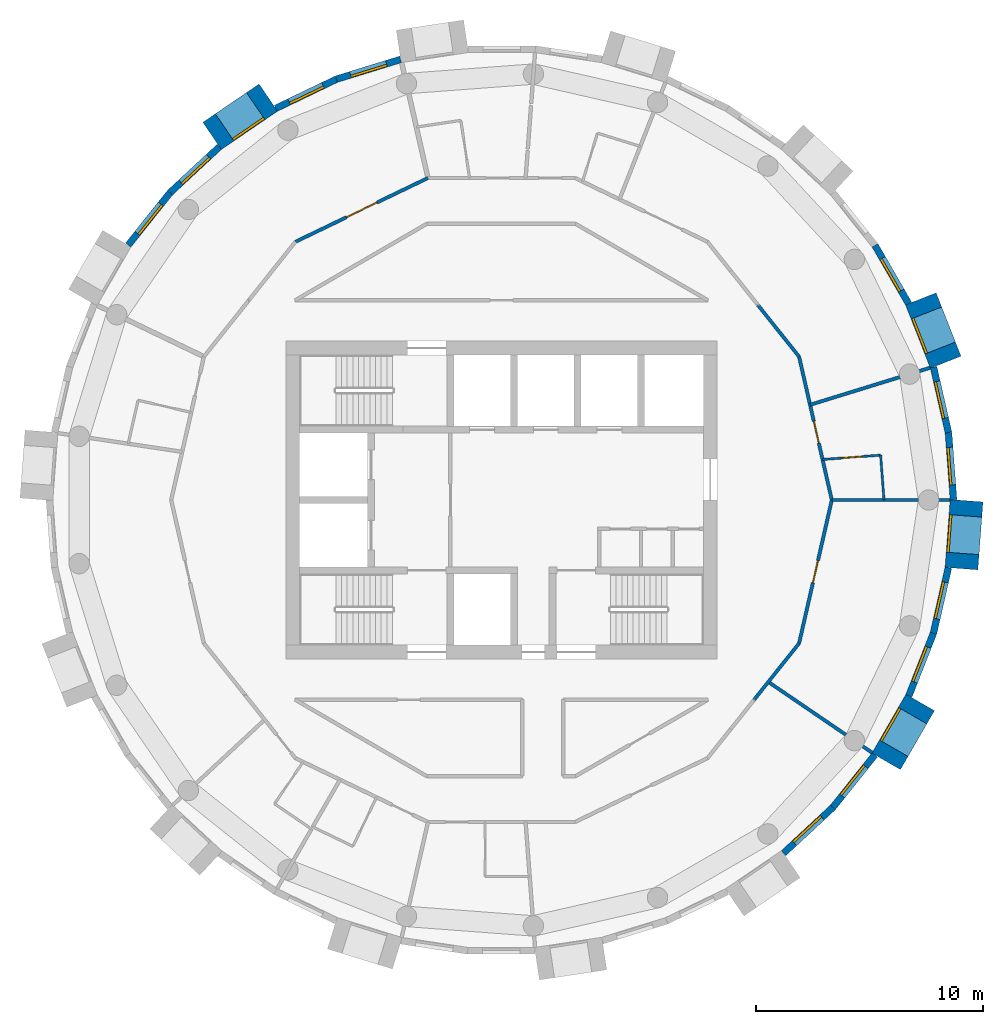
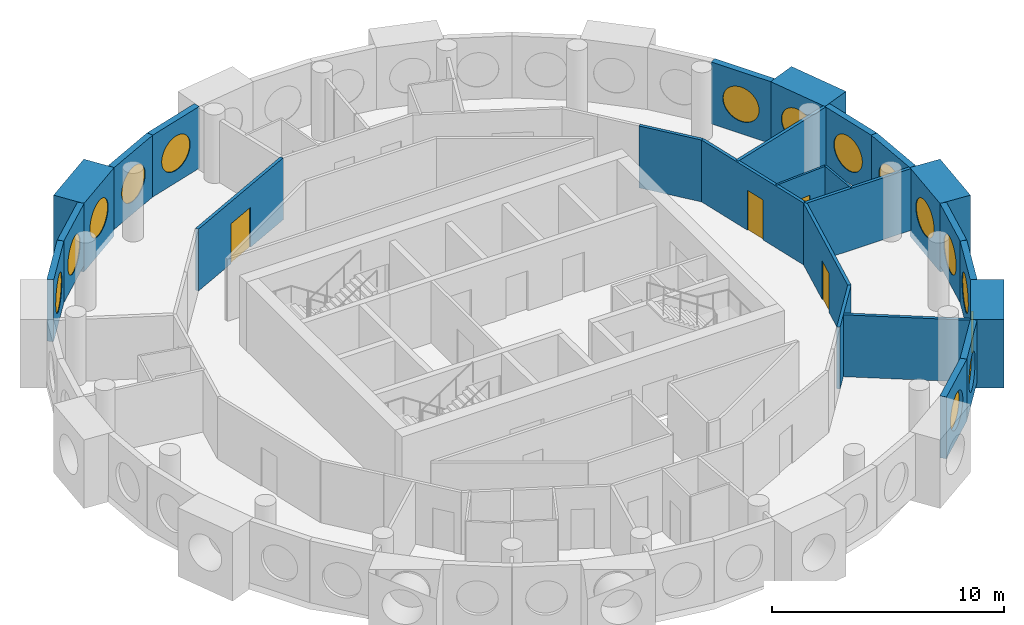
# One storey, part 10 of 13: 25 walls, 15 windows, 4 doors, 19 openings.
"""IFC4 building model written with IfcOpenShell, lengths in metres."""

from ifc_helpers import new_model, si_unit, direction, frame, frame_2d, origin, origin_2d, place, context, subcontext, project, spatial, rectangle, circle, extrude, material, layer, layer_set, type_object, element, fill, save


model = new_model("IFC4")

# Units and contexts
model_context = context("Model", 3, precision=1e-05, world=origin(), true_north=direction((0.0, 1.0)))
body_context = subcontext(model_context, "Body", "Model", "MODEL_VIEW")
ifc_project = project(units=[si_unit("LENGTHUNIT", "METRE"), si_unit("AREAUNIT", "SQUARE_METRE"), si_unit("VOLUMEUNIT", "CUBIC_METRE"), si_unit("PLANEANGLEUNIT", "RADIAN"), si_unit("MASSUNIT", "GRAM", prefix="KILO")], contexts=[model_context])

# Site, building, storey
site_placement = place(None, origin())
site = spatial("IfcSite", under=ifc_project, at=site_placement, CompositionType="ELEMENT")
building_placement = place(site_placement, origin())
building = spatial("IfcBuilding", under=site, at=building_placement, Name="Tracery Tower", CompositionType="ELEMENT")
storey_placement = place(building_placement, frame((0.0, 0.0, 301.800048828125)))
storey = spatial("IfcBuildingStorey", under=building, at=storey_placement, Name="L78", CompositionType="ELEMENT", Elevation=301.800048828125)

# Wall, opening, window
ifc_material_1 = material(Name="Precast concrete C50/60", Category="concrete")
ifc_layer_1 = layer(ifc_material_1, 1.449951171875)
ifc_layer_set_1 = layer_set([ifc_layer_1], Name="Deep-set bay unit 3000 x 3600, slab edge 350")
wall_type_1 = type_object("IfcWallType", Name="Deep-set bay unit 3000 x 3600, slab edge 350", PredefinedType="ELEMENTEDWALL", material=ifc_layer_set_1)
wall_1_placement = place(storey_placement, frame((19.576171875, 6.071533203125, -0.35009765625), z_axis=(0.0, 0.0, 1.0), x_axis=(-0.36537792632, 0.93085926485, 0.0)))
wall_1 = element("IfcWall", 1, at=wall_1_placement, inside=storey, type_object=wall_type_1, Name="Deep-set bay unit 3 at L78", PredefinedType="ELEMENTEDWALL", context=body_context, shape_type="SweptSolid", body=[
    extrude(rectangle(XDim=3.000244140625, YDim=1.449951171875, at=frame_2d((1.5, 0.0))), origin(), (0.0, 0.0, 1.0), 3.60009765625),
])
opening_1_placement = place(wall_1_placement, frame((1.5, 0.0, 1.89990234375)))
opening_1 = element("IfcOpeningElement", 2, at=opening_1_placement, cuts=wall_1, Name="Opening WN1", PredefinedType="OPENING", context=body_context, shape_type="SweptSolid", body=[
    extrude(circle(Radius=0.9000244140625, at=origin_2d()), frame((0.0, 0.73486328125, 0.0), z_axis=(0.0, -1.0, 0.0), x_axis=(1.0, 0.0, 0.0)), (0.0, 0.0, 1.0), 1.469970703125),
])
ifc_material_2 = material(Name="Aluminium frame with tinted double glazing", Category="aluminium")
window_type = type_object("IfcWindowType", Name="Round window 1800", PartitioningType="SINGLE_PANEL", PredefinedType="WINDOW", material=ifc_material_2)
window_1_placement = place(opening_1_placement, origin())
window_1 = element("IfcWindow", 3, at=window_1_placement, inside=storey, type_object=window_type, Name="Round window 3 at L78", OverallHeight=1.800048828125, OverallWidth=1.800048828125, PartitioningType="SINGLE_PANEL", PredefinedType="WINDOW", context=body_context, shape_type="SweptSolid", body=[
    extrude(circle(Radius=0.9000244140625, at=origin_2d()), frame((0.0, 0.69482421875, 0.0), z_axis=(0.0, -1.0, 0.0), x_axis=(1.0, 0.0, 0.0)), (0.0, 0.0, 1.0), 0.10009765625),
])
fill(opening_1, window_1)

wall_2_placement = place(storey_placement, frame((-10.275390625, 17.734130859375, -0.35009765625), z_axis=(0.0, 0.0, 1.0), x_axis=(-0.826246281157, -0.563309047392, 0.0)))
wall_2 = element("IfcWall", 4, at=wall_2_placement, inside=storey, type_object=wall_type_1, Name="Deep-set bay unit 15 at L78", PredefinedType="ELEMENTEDWALL", context=body_context, shape_type="SweptSolid", body=[
    extrude(rectangle(XDim=3.0, YDim=1.449951171875, at=frame_2d((1.5, 0.0))), origin(), (0.0, 0.0, 1.0), 3.60009765625),
])
opening_2_placement = place(wall_2_placement, frame((1.5, 0.0, 1.89990234375)))
opening_2 = element("IfcOpeningElement", 5, at=opening_2_placement, cuts=wall_2, Name="Opening WN1", PredefinedType="OPENING", context=body_context, shape_type="SweptSolid", body=[
    extrude(circle(Radius=0.9000244140625, at=origin_2d()), frame((0.0, 0.73486328125, 0.0), z_axis=(0.0, -1.0, 0.0), x_axis=(1.0, 0.0, 0.0)), (0.0, 0.0, 1.0), 1.469970703125),
])
window_2_placement = place(opening_2_placement, origin())
window_2 = element("IfcWindow", 6, at=window_2_placement, inside=storey, type_object=window_type, Name="Round window 15 at L78", OverallHeight=1.800048828125, OverallWidth=1.800048828125, PartitioningType="SINGLE_PANEL", PredefinedType="WINDOW", context=body_context, shape_type="SweptSolid", body=[
    extrude(circle(Radius=0.9000244140625, at=origin_2d()), frame((0.0, 0.69482421875, 0.0), z_axis=(0.0, -1.0, 0.0), x_axis=(1.0, 0.0, 0.0)), (0.0, 0.0, 1.0), 0.10009765625),
])
fill(opening_2, window_2)

wall_3_placement = place(storey_placement, frame((16.952392578125, -11.51953125, -0.35009765625), z_axis=(0.0, 0.0, 1.0), x_axis=(0.499990139034, 0.866031096941, 0.0)))
wall_3 = element("IfcWall", 7, at=wall_3_placement, inside=storey, type_object=wall_type_1, Name="Deep-set bay unit 39 at L78", PredefinedType="ELEMENTEDWALL", context=body_context, shape_type="SweptSolid", body=[
    extrude(rectangle(XDim=3.0, YDim=1.449951171875, at=frame_2d((1.5, 0.0))), origin(), (0.0, 0.0, 1.0), 3.60009765625),
])
opening_3_placement = place(wall_3_placement, frame((1.5, 0.0, 1.89990234375)))
opening_3 = element("IfcOpeningElement", 8, at=opening_3_placement, cuts=wall_3, Name="Opening WN1", PredefinedType="OPENING", context=body_context, shape_type="SweptSolid", body=[
    extrude(circle(Radius=0.9000244140625, at=origin_2d()), frame((0.0, 0.73486328125, 0.0), z_axis=(0.0, -1.0, 0.0), x_axis=(1.0, 0.0, 0.0)), (0.0, 0.0, 1.0), 1.469970703125),
])
window_3_placement = place(opening_3_placement, origin())
window_3 = element("IfcWindow", 9, at=window_3_placement, inside=storey, type_object=window_type, Name="Round window 39 at L78", OverallHeight=1.800048828125, OverallWidth=1.800048828125, PartitioningType="SINGLE_PANEL", PredefinedType="WINDOW", context=body_context, shape_type="SweptSolid", body=[
    extrude(circle(Radius=0.9000244140625, at=origin_2d()), frame((0.0, 0.69482421875, 0.0), z_axis=(0.0, -1.0, 0.0), x_axis=(1.0, 0.0, 0.0)), (0.0, 0.0, 1.0), 0.10009765625),
])
fill(opening_3, window_3)

wall_4_placement = place(storey_placement, frame((20.271728515625, -3.0234375, -0.35009765625), z_axis=(0.0, 0.0, 1.0), x_axis=(0.074785902127, 0.997199613339, 0.0)))
wall_4 = element("IfcWall", 10, at=wall_4_placement, inside=storey, type_object=wall_type_1, Name="Deep-set bay unit 42 at L78", PredefinedType="ELEMENTEDWALL", context=body_context, shape_type="SweptSolid", body=[
    extrude(rectangle(XDim=3.0, YDim=1.449951171875, at=frame_2d((1.5, 0.0))), origin(), (0.0, 0.0, 1.0), 3.60009765625),
])
opening_4_placement = place(wall_4_placement, frame((1.5, 0.0, 1.89990234375)))
opening_4 = element("IfcOpeningElement", 11, at=opening_4_placement, cuts=wall_4, Name="Opening WN1", PredefinedType="OPENING", context=body_context, shape_type="SweptSolid", body=[
    extrude(circle(Radius=0.9000244140625, at=origin_2d()), frame((0.0, 0.73486328125, 0.0), z_axis=(0.0, -1.0, 0.0), x_axis=(1.0, 0.0, 0.0)), (0.0, 0.0, 1.0), 1.469970703125),
])
window_4_placement = place(opening_4_placement, origin())
window_4 = element("IfcWindow", 12, at=window_4_placement, inside=storey, type_object=window_type, Name="Round window 42 at L78", OverallHeight=1.800048828125, OverallWidth=1.800048828125, PartitioningType="SINGLE_PANEL", PredefinedType="WINDOW", context=body_context, shape_type="SweptSolid", body=[
    extrude(circle(Radius=0.9000244140625, at=origin_2d()), frame((0.0, 0.69482421875, 0.0), z_axis=(0.0, -1.0, 0.0), x_axis=(1.0, 0.0, 0.0)), (0.0, 0.0, 1.0), 0.10009765625),
])
fill(opening_4, window_4)

ifc_material_3 = material(Name="Precast concrete C50/60", Category="concrete")
ifc_layer_2 = layer(ifc_material_3, 0.300048828125)
ifc_layer_set_2 = layer_set([ifc_layer_2], Name="Facade panel 3000 x 3250")
wall_type_2 = type_object("IfcWallType", Name="Facade panel 3000 x 3250", PredefinedType="SOLIDWALL", material=ifc_layer_set_2)
wall_5_placement = place(storey_placement, frame((19.920654296875, 0.01513671875, 0.0), z_axis=(0.0, 0.0, 1.0), x_axis=(-0.07474897196, 0.997202382263, 0.0)))
wall_5 = element("IfcWall", 13, at=wall_5_placement, inside=storey, type_object=wall_type_2, Name="Facade panel 1 at L78", PredefinedType="SOLIDWALL", context=body_context, shape_type="SweptSolid", body=[
    extrude(rectangle(XDim=2.96240234375, YDim=0.300048828125, at=frame_2d((1.481201171875, 0.0))), origin(), (0.0, 0.0, 1.0), 3.25),
])
opening_5_placement = place(wall_5_placement, frame((1.48095703125, 0.0, 1.5498046875)))
opening_5 = element("IfcOpeningElement", 14, at=opening_5_placement, cuts=wall_5, Name="Opening WN1", PredefinedType="OPENING", context=body_context, shape_type="SweptSolid", body=[
    extrude(circle(Radius=0.9000244140625, at=origin_2d()), frame((0.0, 0.159912109375, 0.0), z_axis=(0.0, -1.0, 0.0), x_axis=(1.0, 0.0, 0.0)), (0.0, 0.0, 1.0), 0.320068359375),
])
window_5_placement = place(opening_5_placement, origin())
window_5 = element("IfcWindow", 15, at=window_5_placement, inside=storey, type_object=window_type, Name="Round window 1 at L78", OverallHeight=1.800048828125, OverallWidth=1.800048828125, PartitioningType="SINGLE_PANEL", PredefinedType="WINDOW", context=body_context, shape_type="SweptSolid", body=[
    extrude(circle(Radius=0.9000244140625, at=origin_2d()), frame((0.0, 0.1201171875, 0.0), z_axis=(0.0, -1.0, 0.0), x_axis=(1.0, 0.0, 0.0)), (0.0, 0.0, 1.0), 0.10009765625),
])
fill(opening_5, window_5)

wall_6_placement = place(storey_placement, frame((19.69921875, 2.96923828125, 0.0), z_axis=(0.0, 0.0, 1.0), x_axis=(-0.222529389789, 0.974925982155, 0.0)))
wall_6 = element("IfcWall", 16, at=wall_6_placement, inside=storey, type_object=wall_type_2, Name="Facade panel 2 at L78", PredefinedType="SOLIDWALL", context=body_context, shape_type="SweptSolid", body=[
    extrude(rectangle(XDim=2.962158203125, YDim=0.300048828125, at=frame_2d((1.48095703125, 0.0))), origin(), (0.0, 0.0, 1.0), 3.25),
])
opening_6_placement = place(wall_6_placement, frame((1.48095703125, 0.0, 1.5498046875)))
opening_6 = element("IfcOpeningElement", 17, at=opening_6_placement, cuts=wall_6, Name="Opening WN1", PredefinedType="OPENING", context=body_context, shape_type="SweptSolid", body=[
    extrude(circle(Radius=0.9000244140625, at=origin_2d()), frame((0.0, 0.159912109375, 0.0), z_axis=(0.0, -1.0, 0.0), x_axis=(1.0, 0.0, 0.0)), (0.0, 0.0, 1.0), 0.320068359375),
])
window_6_placement = place(opening_6_placement, origin())
window_6 = element("IfcWindow", 18, at=window_6_placement, inside=storey, type_object=window_type, Name="Round window 2 at L78", OverallHeight=1.800048828125, OverallWidth=1.800048828125, PartitioningType="SINGLE_PANEL", PredefinedType="WINDOW", context=body_context, shape_type="SweptSolid", body=[
    extrude(circle(Radius=0.9000244140625, at=origin_2d()), frame((0.0, 0.1201171875, 0.0), z_axis=(0.0, -1.0, 0.0), x_axis=(1.0, 0.0, 0.0)), (0.0, 0.0, 1.0), 0.10009765625),
])
fill(opening_6, window_6)

wall_7_placement = place(storey_placement, frame((17.941162109375, 8.656982421875, 0.0), z_axis=(0.0, 0.0, 1.0), x_axis=(-0.499950756475, 0.86605383268, 0.0)))
wall_7 = element("IfcWall", 19, at=wall_7_placement, inside=storey, type_object=wall_type_2, Name="Facade panel 4 at L78", PredefinedType="SOLIDWALL", context=body_context, shape_type="SweptSolid", body=[
    extrude(rectangle(XDim=2.962158203125, YDim=0.300048828125, at=frame_2d((1.48095703125, 0.0))), origin(), (0.0, 0.0, 1.0), 3.25),
])
opening_7_placement = place(wall_7_placement, frame((1.48095703125, 0.0, 1.5498046875)))
opening_7 = element("IfcOpeningElement", 20, at=opening_7_placement, cuts=wall_7, Name="Opening WN1", PredefinedType="OPENING", context=body_context, shape_type="SweptSolid", body=[
    extrude(circle(Radius=0.9000244140625, at=origin_2d()), frame((0.0, 0.159912109375, 0.0), z_axis=(0.0, -1.0, 0.0), x_axis=(1.0, 0.0, 0.0)), (0.0, 0.0, 1.0), 0.320068359375),
])
window_7_placement = place(opening_7_placement, origin())
window_7 = element("IfcWindow", 21, at=window_7_placement, inside=storey, type_object=window_type, Name="Round window 4 at L78", OverallHeight=1.800048828125, OverallWidth=1.800048828125, PartitioningType="SINGLE_PANEL", PredefinedType="WINDOW", context=body_context, shape_type="SweptSolid", body=[
    extrude(circle(Radius=0.9000244140625, at=origin_2d()), frame((0.0, 0.1201171875, 0.0), z_axis=(0.0, -1.0, 0.0), x_axis=(1.0, 0.0, 0.0)), (0.0, 0.0, 1.0), 0.10009765625),
])
fill(opening_7, window_7)

wall_8_placement = place(storey_placement, frame((-4.447509765625, 19.417724609375, 0.0), z_axis=(0.0, 0.0, 1.0), x_axis=(-0.95558635705, -0.294711238707, 0.0)))
wall_8 = element("IfcWall", 22, at=wall_8_placement, inside=storey, type_object=wall_type_2, Name="Facade panel 13 at L78", PredefinedType="SOLIDWALL", context=body_context, shape_type="SweptSolid", body=[
    extrude(rectangle(XDim=2.96240234375, YDim=0.300048828125, at=frame_2d((1.481201171875, 0.0))), origin(), (0.0, 0.0, 1.0), 3.25),
])
opening_8_placement = place(wall_8_placement, frame((1.48095703125, 0.0, 1.5498046875)))
opening_8 = element("IfcOpeningElement", 23, at=opening_8_placement, cuts=wall_8, Name="Opening WN1", PredefinedType="OPENING", context=body_context, shape_type="SweptSolid", body=[
    extrude(circle(Radius=0.9000244140625, at=origin_2d()), frame((0.0, 0.159912109375, 0.0), z_axis=(0.0, -1.0, 0.0), x_axis=(1.0, 0.0, 0.0)), (0.0, 0.0, 1.0), 0.320068359375),
])
window_8_placement = place(opening_8_placement, origin())
window_8 = element("IfcWindow", 24, at=window_8_placement, inside=storey, type_object=window_type, Name="Round window 13 at L78", OverallHeight=1.800048828125, OverallWidth=1.800048828125, PartitioningType="SINGLE_PANEL", PredefinedType="WINDOW", context=body_context, shape_type="SweptSolid", body=[
    extrude(circle(Radius=0.9000244140625, at=origin_2d()), frame((0.0, 0.1201171875, 0.0), z_axis=(0.0, -1.0, 0.0), x_axis=(1.0, 0.0, 0.0)), (0.0, 0.0, 1.0), 0.10009765625),
])
fill(opening_8, window_8)

wall_9_placement = place(storey_placement, frame((-7.2783203125, 18.544677734375, 0.0), z_axis=(0.0, 0.0, 1.0), x_axis=(-0.900939615635, -0.433944476838, 0.0)))
wall_9 = element("IfcWall", 25, at=wall_9_placement, inside=storey, type_object=wall_type_2, Name="Facade panel 14 at L78", PredefinedType="SOLIDWALL", context=body_context, shape_type="SweptSolid", body=[
    extrude(rectangle(XDim=2.962158203125, YDim=0.300048828125, at=frame_2d((1.48095703125, 0.0))), origin(), (0.0, 0.0, 1.0), 3.25),
])
opening_9_placement = place(wall_9_placement, frame((1.48095703125, 0.0, 1.5498046875)))
opening_9 = element("IfcOpeningElement", 26, at=opening_9_placement, cuts=wall_9, Name="Opening WN1", PredefinedType="OPENING", context=body_context, shape_type="SweptSolid", body=[
    extrude(circle(Radius=0.9000244140625, at=origin_2d()), frame((0.0, 0.159912109375, 0.0), z_axis=(0.0, -1.0, 0.0), x_axis=(1.0, 0.0, 0.0)), (0.0, 0.0, 1.0), 0.320068359375),
])
window_9_placement = place(opening_9_placement, origin())
window_9 = element("IfcWindow", 27, at=window_9_placement, inside=storey, type_object=window_type, Name="Round window 14 at L78", OverallHeight=1.800048828125, OverallWidth=1.800048828125, PartitioningType="SINGLE_PANEL", PredefinedType="WINDOW", context=body_context, shape_type="SweptSolid", body=[
    extrude(circle(Radius=0.9000244140625, at=origin_2d()), frame((0.0, 0.1201171875, 0.0), z_axis=(0.0, -1.0, 0.0), x_axis=(1.0, 0.0, 0.0)), (0.0, 0.0, 1.0), 0.10009765625),
])
fill(opening_9, window_9)

wall_10_placement = place(storey_placement, frame((-12.43212890625, 15.565185546875, 0.0), z_axis=(0.0, 0.0, 1.0), x_axis=(-0.733066412643, -0.680157066165, 0.0)))
wall_10 = element("IfcWall", 28, at=wall_10_placement, inside=storey, type_object=wall_type_2, Name="Facade panel 16 at L78", PredefinedType="SOLIDWALL", context=body_context, shape_type="SweptSolid", body=[
    extrude(rectangle(XDim=2.96240234375, YDim=0.300048828125, at=frame_2d((1.481201171875, 0.0))), origin(), (0.0, 0.0, 1.0), 3.25),
])
opening_10_placement = place(wall_10_placement, frame((1.48095703125, 0.0, 1.5498046875)))
opening_10 = element("IfcOpeningElement", 29, at=opening_10_placement, cuts=wall_10, Name="Opening WN1", PredefinedType="OPENING", context=body_context, shape_type="SweptSolid", body=[
    extrude(circle(Radius=0.9000244140625, at=origin_2d()), frame((0.0, 0.159912109375, 0.0), z_axis=(0.0, -1.0, 0.0), x_axis=(1.0, 0.0, 0.0)), (0.0, 0.0, 1.0), 0.320068359375),
])
window_10_placement = place(opening_10_placement, origin())
window_10 = element("IfcWindow", 30, at=window_10_placement, inside=storey, type_object=window_type, Name="Round window 16 at L78", OverallHeight=1.800048828125, OverallWidth=1.800048828125, PartitioningType="SINGLE_PANEL", PredefinedType="WINDOW", context=body_context, shape_type="SweptSolid", body=[
    extrude(circle(Radius=0.9000244140625, at=origin_2d()), frame((0.0, 0.1201171875, 0.0), z_axis=(0.0, -1.0, 0.0), x_axis=(1.0, 0.0, 0.0)), (0.0, 0.0, 1.0), 0.10009765625),
])
fill(opening_10, window_10)

wall_11_placement = place(storey_placement, frame((-14.603759765625, 13.55029296875, 0.0), z_axis=(0.0, 0.0, 1.0), x_axis=(-0.623498236992, -0.781824755599, 0.0)))
wall_11 = element("IfcWall", 31, at=wall_11_placement, inside=storey, type_object=wall_type_2, Name="Facade panel 17 at L78", PredefinedType="SOLIDWALL", context=body_context, shape_type="SweptSolid", body=[
    extrude(rectangle(XDim=2.962158203125, YDim=0.300048828125, at=frame_2d((1.48095703125, 0.0))), origin(), (0.0, 0.0, 1.0), 3.25),
])
opening_11_placement = place(wall_11_placement, frame((1.48095703125, 0.0, 1.5498046875)))
opening_11 = element("IfcOpeningElement", 32, at=opening_11_placement, cuts=wall_11, Name="Opening WN1", PredefinedType="OPENING", context=body_context, shape_type="SweptSolid", body=[
    extrude(circle(Radius=0.9000244140625, at=origin_2d()), frame((0.0, 0.159912109375, 0.0), z_axis=(0.0, -1.0, 0.0), x_axis=(1.0, 0.0, 0.0)), (0.0, 0.0, 1.0), 0.320068359375),
])
window_11_placement = place(opening_11_placement, origin())
window_11 = element("IfcWindow", 33, at=window_11_placement, inside=storey, type_object=window_type, Name="Round window 17 at L78", OverallHeight=1.800048828125, OverallWidth=1.800048828125, PartitioningType="SINGLE_PANEL", PredefinedType="WINDOW", context=body_context, shape_type="SweptSolid", body=[
    extrude(circle(Radius=0.9000244140625, at=origin_2d()), frame((0.0, 0.1201171875, 0.0), z_axis=(0.0, -1.0, 0.0), x_axis=(1.0, 0.0, 0.0)), (0.0, 0.0, 1.0), 0.10009765625),
])
fill(opening_11, window_11)

wall_12_placement = place(storey_placement, frame((12.43212890625, -15.565185546875, 0.0), z_axis=(0.0, 0.0, 1.0), x_axis=(0.733066412643, 0.680157066165, 0.0)))
wall_12 = element("IfcWall", 34, at=wall_12_placement, inside=storey, type_object=wall_type_2, Name="Facade panel 37 at L78", PredefinedType="SOLIDWALL", context=body_context, shape_type="SweptSolid", body=[
    extrude(rectangle(XDim=2.96240234375, YDim=0.300048828125, at=frame_2d((1.481201171875, 0.0))), origin(), (0.0, 0.0, 1.0), 3.25),
])
opening_12_placement = place(wall_12_placement, frame((1.48095703125, 0.0, 1.5498046875)))
opening_12 = element("IfcOpeningElement", 35, at=opening_12_placement, cuts=wall_12, Name="Opening WN1", PredefinedType="OPENING", context=body_context, shape_type="SweptSolid", body=[
    extrude(circle(Radius=0.9000244140625, at=origin_2d()), frame((0.0, 0.159912109375, 0.0), z_axis=(0.0, -1.0, 0.0), x_axis=(1.0, 0.0, 0.0)), (0.0, 0.0, 1.0), 0.320068359375),
])
window_12_placement = place(opening_12_placement, origin())
window_12 = element("IfcWindow", 36, at=window_12_placement, inside=storey, type_object=window_type, Name="Round window 37 at L78", OverallHeight=1.800048828125, OverallWidth=1.800048828125, PartitioningType="SINGLE_PANEL", PredefinedType="WINDOW", context=body_context, shape_type="SweptSolid", body=[
    extrude(circle(Radius=0.9000244140625, at=origin_2d()), frame((0.0, 0.1201171875, 0.0), z_axis=(0.0, -1.0, 0.0), x_axis=(1.0, 0.0, 0.0)), (0.0, 0.0, 1.0), 0.10009765625),
])
fill(opening_12, window_12)

wall_13_placement = place(storey_placement, frame((14.603759765625, -13.55029296875, 0.0), z_axis=(0.0, 0.0, 1.0), x_axis=(0.623498236992, 0.781824755599, 0.0)))
wall_13 = element("IfcWall", 37, at=wall_13_placement, inside=storey, type_object=wall_type_2, Name="Facade panel 38 at L78", PredefinedType="SOLIDWALL", context=body_context, shape_type="SweptSolid", body=[
    extrude(rectangle(XDim=2.962158203125, YDim=0.300048828125, at=frame_2d((1.48095703125, 0.0))), origin(), (0.0, 0.0, 1.0), 3.25),
])
opening_13_placement = place(wall_13_placement, frame((1.48095703125, 0.0, 1.5498046875)))
opening_13 = element("IfcOpeningElement", 38, at=opening_13_placement, cuts=wall_13, Name="Opening WN1", PredefinedType="OPENING", context=body_context, shape_type="SweptSolid", body=[
    extrude(circle(Radius=0.9000244140625, at=origin_2d()), frame((0.0, 0.159912109375, 0.0), z_axis=(0.0, -1.0, 0.0), x_axis=(1.0, 0.0, 0.0)), (0.0, 0.0, 1.0), 0.320068359375),
])
window_13_placement = place(opening_13_placement, origin())
window_13 = element("IfcWindow", 39, at=window_13_placement, inside=storey, type_object=window_type, Name="Round window 38 at L78", OverallHeight=1.800048828125, OverallWidth=1.800048828125, PartitioningType="SINGLE_PANEL", PredefinedType="WINDOW", context=body_context, shape_type="SweptSolid", body=[
    extrude(circle(Radius=0.9000244140625, at=origin_2d()), frame((0.0, 0.1201171875, 0.0), z_axis=(0.0, -1.0, 0.0), x_axis=(1.0, 0.0, 0.0)), (0.0, 0.0, 1.0), 0.10009765625),
])
fill(opening_13, window_13)

wall_14_placement = place(storey_placement, frame((17.95458984375, -8.62939453125, 0.0), z_axis=(0.0, 0.0, 1.0), x_axis=(0.36530043032, 0.930889679612, 0.0)))
wall_14 = element("IfcWall", 40, at=wall_14_placement, inside=storey, type_object=wall_type_2, Name="Facade panel 40 at L78", PredefinedType="SOLIDWALL", context=body_context, shape_type="SweptSolid", body=[
    extrude(rectangle(XDim=2.9619140625, YDim=0.300048828125, at=frame_2d((1.48095703125, 0.0))), origin(), (0.0, 0.0, 1.0), 3.25),
])
opening_14_placement = place(wall_14_placement, frame((1.48095703125, 0.0, 1.5498046875)))
opening_14 = element("IfcOpeningElement", 41, at=opening_14_placement, cuts=wall_14, Name="Opening WN1", PredefinedType="OPENING", context=body_context, shape_type="SweptSolid", body=[
    extrude(circle(Radius=0.9000244140625, at=origin_2d()), frame((0.0, 0.159912109375, 0.0), z_axis=(0.0, -1.0, 0.0), x_axis=(1.0, 0.0, 0.0)), (0.0, 0.0, 1.0), 0.320068359375),
])
window_14_placement = place(opening_14_placement, origin())
window_14 = element("IfcWindow", 42, at=window_14_placement, inside=storey, type_object=window_type, Name="Round window 40 at L78", OverallHeight=1.800048828125, OverallWidth=1.800048828125, PartitioningType="SINGLE_PANEL", PredefinedType="WINDOW", context=body_context, shape_type="SweptSolid", body=[
    extrude(circle(Radius=0.9000244140625, at=origin_2d()), frame((0.0, 0.1201171875, 0.0), z_axis=(0.0, -1.0, 0.0), x_axis=(1.0, 0.0, 0.0)), (0.0, 0.0, 1.0), 0.10009765625),
])
fill(opening_14, window_14)

wall_15_placement = place(storey_placement, frame((19.03662109375, -5.8720703125, 0.0), z_axis=(0.0, 0.0, 1.0), x_axis=(0.222529389789, 0.974925982155, 0.0)))
wall_15 = element("IfcWall", 43, at=wall_15_placement, inside=storey, type_object=wall_type_2, Name="Facade panel 41 at L78", PredefinedType="SOLIDWALL", context=body_context, shape_type="SweptSolid", body=[
    extrude(rectangle(XDim=2.962158203125, YDim=0.300048828125, at=frame_2d((1.48095703125, 0.0))), origin(), (0.0, 0.0, 1.0), 3.25),
])
opening_15_placement = place(wall_15_placement, frame((1.48095703125, 0.0, 1.5498046875)))
opening_15 = element("IfcOpeningElement", 44, at=opening_15_placement, cuts=wall_15, Name="Opening WN1", PredefinedType="OPENING", context=body_context, shape_type="SweptSolid", body=[
    extrude(circle(Radius=0.9000244140625, at=origin_2d()), frame((0.0, 0.159912109375, 0.0), z_axis=(0.0, -1.0, 0.0), x_axis=(1.0, 0.0, 0.0)), (0.0, 0.0, 1.0), 0.320068359375),
])
window_15_placement = place(opening_15_placement, origin())
window_15 = element("IfcWindow", 45, at=window_15_placement, inside=storey, type_object=window_type, Name="Round window 41 at L78", OverallHeight=1.800048828125, OverallWidth=1.800048828125, PartitioningType="SINGLE_PANEL", PredefinedType="WINDOW", context=body_context, shape_type="SweptSolid", body=[
    extrude(circle(Radius=0.9000244140625, at=origin_2d()), frame((0.0, 0.1201171875, 0.0), z_axis=(0.0, -1.0, 0.0), x_axis=(1.0, 0.0, 0.0)), (0.0, 0.0, 1.0), 0.10009765625),
])
fill(opening_15, window_15)

# Wall
ifc_material_4 = material(Name="Plasterboard on steel studs", Category="steel")
ifc_layer_3 = layer(ifc_material_4, 0.10009765625)
ifc_layer_set_3 = layer_set([ifc_layer_3], Name="Partition 100 wet wall")
wall_type_3 = type_object("IfcWallType", Name="Partition 100 wet wall", PredefinedType="PARTITIONING", material=ifc_layer_set_3)
wall_16_placement = place(storey_placement, frame((16.7080078125, 1.97705078125, 0.0), z_axis=(0.0, 0.0, 1.0), x_axis=(0.074624634103, -0.997211694669, 0.0)))
element("IfcWall", 46, at=wall_16_placement, inside=storey, type_object=wall_type_3, Name="Wet wall RC7-043", PredefinedType="PARTITIONING", context=body_context, shape_type="SweptSolid", body=[
    extrude(rectangle(XDim=1.982666015625, YDim=0.10009765625, at=frame_2d((0.9912109375, 0.0))), origin(), (0.0, 0.0, 1.0), 3.25),
])

# Wall, opening, door
wall_17_placement = place(storey_placement, frame((14.14892578125, 1.784912109375, 0.0), z_axis=(0.0, 0.0, 1.0), x_axis=(0.997193275785, 0.074870359477, 0.0)))
wall_17 = element("IfcWall", 47, at=wall_17_placement, inside=storey, type_object=wall_type_3, Name="Wet wall RC7-044", PredefinedType="PARTITIONING", context=body_context, shape_type="SweptSolid", body=[
    extrude(rectangle(XDim=2.56640625, YDim=0.10009765625, at=frame_2d((1.283203125, 0.0))), origin(), (0.0, 0.0, 1.0), 3.25),
])
opening_16_placement = place(wall_17_placement, frame((0.833251953125, 0.0, 0.0)))
opening_16 = element("IfcOpeningElement", 48, at=opening_16_placement, cuts=wall_17, Name="Opening RC7-04", PredefinedType="OPENING", context=body_context, shape_type="SweptSolid", body=[
    extrude(rectangle(XDim=0.89990234375, YDim=2.0400390625, at=frame_2d((0.449951171875, 1.02001953125))), frame((0.0, 0.050048828125, 0.0), z_axis=(0.0, -1.0, 0.0), x_axis=(1.0, 0.0, 0.0)), (0.0, 0.0, 1.0), 0.10009765625),
])
ifc_material_5 = material(Name="Timber door leaf", Category="wood")
door_type_1 = type_object("IfcDoorType", Name="Door en-suite 900", OperationType="NOTDEFINED", PredefinedType="DOOR", material=ifc_material_5)
door_1_placement = place(opening_16_placement, origin())
door_1 = element("IfcDoor", 49, at=door_1_placement, inside=storey, type_object=door_type_1, Name="En-suite door RC7-04", OperationType="SINGLE_SWING_LEFT", OverallHeight=2.0400390625, OverallWidth=0.89990234375, PredefinedType="DOOR", context=body_context, shape_type="SweptSolid", body=[
    extrude(rectangle(XDim=0.89990234375, YDim=2.0400390625, at=frame_2d((0.449951171875, 1.02001953125))), frame((0.0, 0.02490234375, 0.0), z_axis=(0.0, -1.0, 0.0), x_axis=(1.0, 0.0, 0.0)), (0.0, 0.0, 1.0), 0.050048828125),
])
fill(opening_16, door_1)

# Walls
ifc_material_6 = material(Name="Plasterboard on steel studs", Category="steel")
ifc_layer_4 = layer(ifc_material_6, 0.14990234375)
ifc_layer_set_4 = layer_set([ifc_layer_4], Name="Partition 150 acoustic unit wall")
wall_type_4 = type_object("IfcWallType", Name="Partition 150 acoustic unit wall", PredefinedType="PARTITIONING", material=ifc_layer_set_4)
wall_18_placement = place(storey_placement, frame((13.59912109375, 4.195068359375, 0.0), z_axis=(0.0, 0.0, 1.0), x_axis=(0.955510861731, 0.294955917239, 0.0)))
element("IfcWall", 50, at=wall_18_placement, inside=storey, type_object=wall_type_4, Name="Unit wall RC7-045", PredefinedType="PARTITIONING", context=body_context, shape_type="SweptSolid", body=[
    extrude(rectangle(XDim=5.5400390625, YDim=0.14990234375, at=frame_2d((2.77001953125, 0.0))), origin(), (0.0, 0.0, 1.0), 3.25),
])
wall_19_placement = place(storey_placement, frame((14.556884765625, 0.0, 0.0), z_axis=(0.0, 0.0, 1.0), x_axis=(1.0, 0.0, 0.0)))
element("IfcWall", 51, at=wall_19_placement, inside=storey, type_object=wall_type_4, Name="Unit wall RC7-046", PredefinedType="PARTITIONING", context=body_context, shape_type="SweptSolid", body=[
    extrude(rectangle(XDim=5.214111328125, YDim=0.14990234375, at=frame_2d((2.60693359375, 0.0))), origin(), (0.0, 0.0, 1.0), 3.25),
])
wall_20_placement = place(storey_placement, frame((11.759033203125, -8.01708984375, 0.0), z_axis=(0.0, 0.0, 1.0), x_axis=(0.826207761897, -0.563365542238, 0.0)))
element("IfcWall", 52, at=wall_20_placement, inside=storey, type_object=wall_type_4, Name="Unit wall RC7-071", PredefinedType="PARTITIONING", context=body_context, shape_type="SweptSolid", body=[
    extrude(rectangle(XDim=5.53955078125, YDim=0.14990234375, at=frame_2d((2.769775390625, 0.0))), origin(), (0.0, 0.0, 1.0), 3.25),
])

# Wall, opening, door
ifc_material_7 = material(Name="Plasterboard on steel studs", Category="steel")
ifc_layer_5 = layer(ifc_material_7, 0.14990234375)
ifc_layer_set_5 = layer_set([ifc_layer_5], Name="Partition 150 corridor wall")
wall_type_5 = type_object("IfcWallType", Name="Partition 150 corridor wall", PredefinedType="PARTITIONING", material=ifc_layer_set_5)
wall_21_placement = place(storey_placement, frame((13.11474609375, 6.31591796875, 0.0), z_axis=(0.0, 0.0, 1.0), x_axis=(0.222568978642, -0.97491694505, 0.0)))
wall_21 = element("IfcWall", 53, at=wall_21_placement, inside=storey, type_object=wall_type_5, Name="Corridor wall RC7-020", PredefinedType="PARTITIONING", context=body_context, shape_type="SweptSolid", body=[
    extrude(rectangle(XDim=6.478515625, YDim=0.14990234375, at=frame_2d((3.2392578125, 0.0))), origin(), (0.0, 0.0, 1.0), 3.25),
])
opening_17_placement = place(wall_21_placement, frame((2.911376953125, 0.0, 0.0)))
opening_17 = element("IfcOpeningElement", 54, at=opening_17_placement, cuts=wall_21, Name="Opening RC7-05", PredefinedType="OPENING", context=body_context, shape_type="SweptSolid", body=[
    extrude(rectangle(XDim=1.0, YDim=2.10009765625, at=frame_2d((0.5, 1.050048828125))), frame((0.0, 0.074951171875, 0.0), z_axis=(0.0, -1.0, 0.0), x_axis=(1.0, 0.0, 0.0)), (0.0, 0.0, 1.0), 0.14990234375),
])
ifc_material_8 = material(Name="Timber door leaf", Category="wood")
door_type_2 = type_object("IfcDoorType", Name="Door unit entrance 1000", OperationType="NOTDEFINED", PredefinedType="DOOR", material=ifc_material_8)
door_2_placement = place(opening_17_placement, origin())
door_2 = element("IfcDoor", 55, at=door_2_placement, inside=storey, type_object=door_type_2, Name="Unit entrance door RC7-05", OperationType="SINGLE_SWING_LEFT", OverallHeight=2.10009765625, OverallWidth=1.0, PredefinedType="DOOR", context=body_context, shape_type="SweptSolid", body=[
    extrude(rectangle(XDim=1.0, YDim=2.10009765625, at=frame_2d((0.5, 1.050048828125))), frame((0.0, 0.02490234375, 0.0), z_axis=(0.0, -1.0, 0.0), x_axis=(1.0, 0.0, 0.0)), (0.0, 0.0, 1.0), 0.050048828125),
])
fill(opening_17, door_2)

# Walls
wall_22_placement = place(storey_placement, frame((11.300048828125, 8.592041015625, 0.0), z_axis=(0.0, 0.0, 1.0), x_axis=(0.623446514299, -0.781866001185, 0.0)))
element("IfcWall", 56, at=wall_22_placement, inside=storey, type_object=wall_type_5, Name="Corridor wall RC7-021", PredefinedType="PARTITIONING", context=body_context, shape_type="SweptSolid", body=[
    extrude(rectangle(XDim=2.9111328125, YDim=0.14990234375, at=frame_2d((1.45556640625, 0.0))), origin(), (0.0, 0.0, 1.0), 3.25),
])
wall_23_placement = place(storey_placement, frame((11.134033203125, -8.800048828125, 0.0), z_axis=(0.0, 0.0, 1.0), x_axis=(0.623560523309, 0.781775078761, 0.0)))
element("IfcWall", 57, at=wall_23_placement, inside=storey, type_object=wall_type_5, Name="Corridor wall RC7-022", PredefinedType="PARTITIONING", context=body_context, shape_type="SweptSolid", body=[
    extrude(rectangle(XDim=3.17724609375, YDim=0.14990234375, at=frame_2d((1.588623046875, 0.0))), origin(), (0.0, 0.0, 1.0), 3.25),
])

# Wall, opening, door
wall_24_placement = place(storey_placement, frame((13.114990234375, -6.31591796875, 0.0), z_axis=(0.0, 0.0, 1.0), x_axis=(0.222568978642, 0.97491694505, 0.0)))
wall_24 = element("IfcWall", 58, at=wall_24_placement, inside=storey, type_object=wall_type_5, Name="Corridor wall RC7-023", PredefinedType="PARTITIONING", context=body_context, shape_type="SweptSolid", body=[
    extrude(rectangle(XDim=6.478515625, YDim=0.14990234375, at=frame_2d((3.2392578125, 0.0))), origin(), (0.0, 0.0, 1.0), 3.25),
])
opening_18_placement = place(wall_24_placement, frame((2.739501953125, 0.0, 0.0)))
opening_18 = element("IfcOpeningElement", 59, at=opening_18_placement, cuts=wall_24, Name="Opening RC7-22", PredefinedType="OPENING", context=body_context, shape_type="SweptSolid", body=[
    extrude(rectangle(XDim=1.0, YDim=2.0400390625, at=frame_2d((0.5, 1.02001953125))), frame((0.0, 0.074951171875, 0.0), z_axis=(0.0, -1.0, 0.0), x_axis=(1.0, 0.0, 0.0)), (0.0, 0.0, 1.0), 0.14990234375),
])
ifc_material_9 = material(Name="Timber door leaf", Category="wood")
door_type_3 = type_object("IfcDoorType", Name="Door communal room 1000", OperationType="NOTDEFINED", PredefinedType="DOOR", material=ifc_material_9)
door_3_placement = place(opening_18_placement, origin())
door_3 = element("IfcDoor", 60, at=door_3_placement, inside=storey, type_object=door_type_3, Name="Communal room door RC7-22", OperationType="SINGLE_SWING_LEFT", OverallHeight=2.0400390625, OverallWidth=1.0, PredefinedType="DOOR", context=body_context, shape_type="SweptSolid", body=[
    extrude(rectangle(XDim=1.0, YDim=2.0400390625, at=frame_2d((0.5, 1.02001953125))), frame((0.0, 0.02490234375, 0.0), z_axis=(0.0, -1.0, 0.0), x_axis=(1.0, 0.0, 0.0)), (0.0, 0.0, 1.0), 0.050048828125),
])
fill(opening_18, door_3)

wall_25_placement = place(storey_placement, frame((-9.075927734375, 11.381103515625, 0.0), z_axis=(0.0, 0.0, 1.0), x_axis=(0.900976027191, 0.433868872388, 0.0)))
wall_25 = element("IfcWall", 61, at=wall_25_placement, inside=storey, type_object=wall_type_5, Name="Corridor wall RC7-029", PredefinedType="PARTITIONING", context=body_context, shape_type="SweptSolid", body=[
    extrude(rectangle(XDim=6.478515625, YDim=0.14990234375, at=frame_2d((3.2392578125, 0.0))), origin(), (0.0, 0.0, 1.0), 3.25),
])
opening_19_placement = place(wall_25_placement, frame((2.489013671875, 0.0, 0.0)))
opening_19 = element("IfcOpeningElement", 62, at=opening_19_placement, cuts=wall_25, Name="Opening RC7-11", PredefinedType="OPENING", context=body_context, shape_type="SweptSolid", body=[
    extrude(rectangle(XDim=1.5, YDim=2.10009765625, at=frame_2d((0.75, 1.050048828125))), frame((0.0, 0.074951171875, 0.0), z_axis=(0.0, -1.0, 0.0), x_axis=(1.0, 0.0, 0.0)), (0.0, 0.0, 1.0), 0.14990234375),
])
ifc_material_10 = material(Name="Timber door leaf", Category="wood")
door_type_4 = type_object("IfcDoorType", Name="Door double kitchen 1500", OperationType="NOTDEFINED", PredefinedType="DOOR", material=ifc_material_10)
door_4_placement = place(opening_19_placement, origin())
door_4 = element("IfcDoor", 63, at=door_4_placement, inside=storey, type_object=door_type_4, Name="Double kitchen door RC7-11", OperationType="DOUBLE_DOOR_SINGLE_SWING", OverallHeight=2.10009765625, OverallWidth=1.5, PredefinedType="DOOR", context=body_context, shape_type="SweptSolid", body=[
    extrude(rectangle(XDim=1.5, YDim=2.10009765625, at=frame_2d((0.75, 1.050048828125))), frame((0.0, 0.02490234375, 0.0), z_axis=(0.0, -1.0, 0.0), x_axis=(1.0, 0.0, 0.0)), (0.0, 0.0, 1.0), 0.050048828125),
])
fill(opening_19, door_4)

save(model, "model.ifc")
